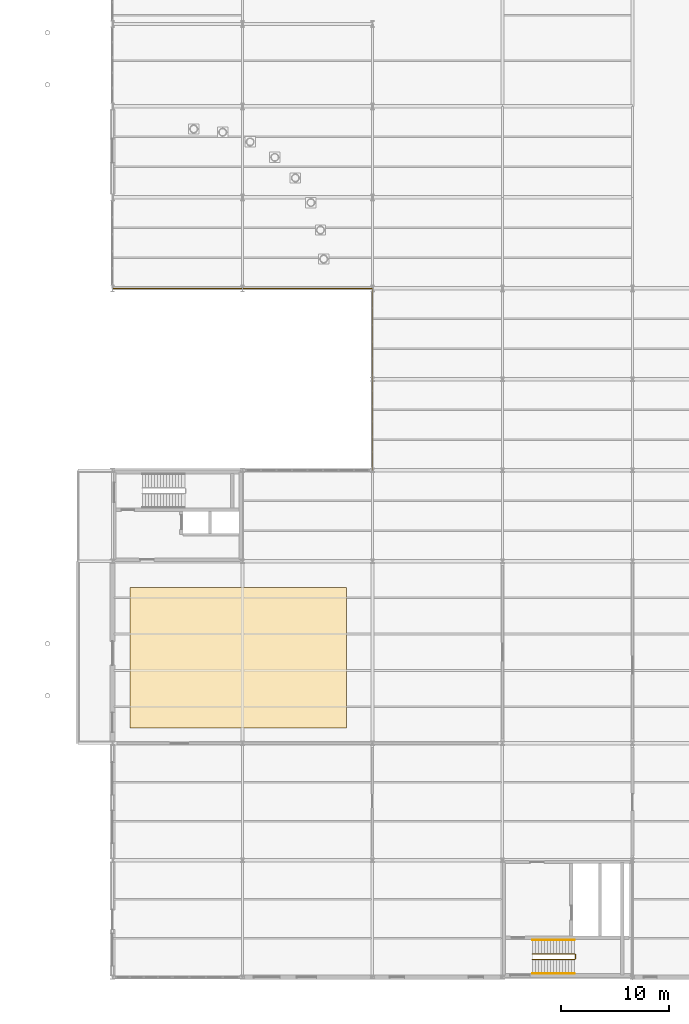
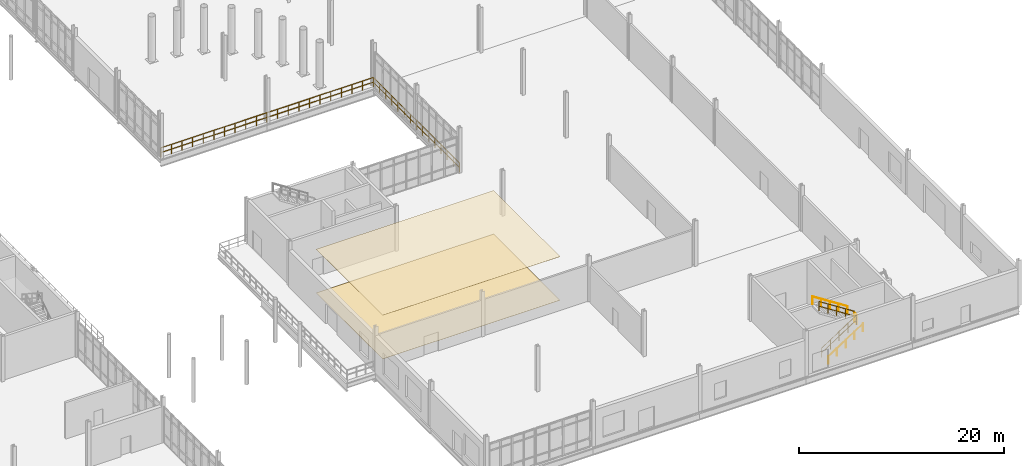
# One storey, part 111 of 111: 7 railings, 2 coverings.
"""IFC4 building model written with IfcOpenShell, lengths in metres."""

from ifc_helpers import new_model, si_unit, direction, frame, origin, origin_2d, place, context, subcontext, project, spatial, rectangle, circle, extrude, material, layer, layer_set, type_object, element, save


model = new_model("IFC4")

# Units and contexts
model_context = context("Model", 3, precision=1e-05, world=origin(), true_north=direction((0.0, 1.0)))
body_context = subcontext(model_context, "Body", "Model", "MODEL_VIEW")
ifc_project = project(units=[si_unit("LENGTHUNIT", "METRE"), si_unit("AREAUNIT", "SQUARE_METRE"), si_unit("VOLUMEUNIT", "CUBIC_METRE"), si_unit("PLANEANGLEUNIT", "RADIAN"), si_unit("MASSUNIT", "GRAM", prefix="KILO"), si_unit("THERMODYNAMICTEMPERATUREUNIT", "KELVIN"), si_unit("POWERUNIT", "WATT")], contexts=[model_context])

# Site, building, storey
site_placement = place(None, origin())
site = spatial("IfcSite", under=ifc_project, at=site_placement, CompositionType="ELEMENT")
building_placement = place(site_placement, origin())
building = spatial("IfcBuilding", under=site, at=building_placement, Name="Tembeka Court Mobility Hub", CompositionType="ELEMENT")
storey_placement = place(building_placement, origin())
storey = spatial("IfcBuildingStorey", under=building, at=storey_placement, Name="L00", CompositionType="ELEMENT", Elevation=0.0)

# Coverings
ifc_material_1 = material(Name="Perforated acoustic mineral-fibre ceiling tile", Category="masonry")
ifc_layer_1 = layer(ifc_material_1, 0.02490234375)
ifc_layer_set_1 = layer_set([ifc_layer_1], Name="Perforated acoustic mineral-fibre ceiling tile")
covering_type_1 = type_object("IfcCoveringType", Name="COV-CL01", PredefinedType="CEILING", material=ifc_layer_set_1)
covering_1_placement = place(storey_placement, frame((128.0, 29.5, 5.189453125), z_axis=(0.0, 0.0, 1.0), x_axis=(1.0, 0.0, 0.0)))
element("IfcCovering", 1, at=covering_1_placement, inside=storey, type_object=covering_type_1, Name="Acoustic ceiling panel CVC1-03", PredefinedType="CEILING", context=body_context, shape_type="SweptSolid", body=[
    extrude(rectangle(XDim=20.0, YDim=13.0, at=origin_2d()), origin(), (0.0, 0.0, 1.0), 0.02490234375),
])
ifc_material_2 = material(Name="Honed Nairobi granite concourse flooring", Category="masonry")
ifc_layer_2 = layer(ifc_material_2, 0.02001953125)
ifc_layer_set_2 = layer_set([ifc_layer_2], Name="Honed Nairobi granite concourse flooring")
covering_type_2 = type_object("IfcCoveringType", Name="COV-FL01", PredefinedType="FLOORING", material=ifc_layer_set_2)
covering_2_placement = place(storey_placement, frame((128.0, 29.5, -0.001953125), z_axis=(0.0, 0.0, 1.0), x_axis=(1.0, 0.0, 0.0)))
element("IfcCovering", 2, at=covering_2_placement, inside=storey, type_object=covering_type_2, Name="Honed granite floor finish CVF1-03", PredefinedType="FLOORING", context=body_context, shape_type="SweptSolid", body=[
    extrude(rectangle(XDim=20.0, YDim=13.0, at=origin_2d()), origin(), (0.0, 0.0, 1.0), 0.02001953125),
])

# Railings
ifc_material_3 = material(Name="Laminated glass and aluminium balustrade", Category="aluminium")
railing_type_1 = type_object("IfcRailingType", Name="RL-BL01", PredefinedType="BALUSTRADE", material=ifc_material_3)
railing_1_placement = place(storey_placement, frame((116.429931640625, 63.60009765625, 0.0)))
element("IfcRailing", 3, at=railing_1_placement, inside=storey, type_object=railing_type_1, Name="Perimeter guard BL01-0001", PredefinedType="BALUSTRADE", context=body_context, shape_type="SweptSolid", body=[
    extrude(circle(Radius=0.02392578125, at=origin_2d()), frame((0.0, 0.0, 1.09619140625), z_axis=(1.0, 0.0, 0.0), x_axis=(0.0, 1.0, 0.0)), (0.0, 0.0, 1.0), 23.940185546875),
    extrude(circle(Radius=0.02392578125, at=origin_2d()), frame((0.0, 0.0, 0.5361328125), z_axis=(1.0, 0.0, 0.0), x_axis=(0.0, 1.0, 0.0)), (0.0, 0.0, 1.0), 23.940185546875),
    extrude(circle(Radius=0.02099609375, at=origin_2d()), origin(), (0.0, 0.0, 1.0), 1.072021484375),
    extrude(circle(Radius=0.02099609375, at=origin_2d()), frame((1.197021484375, 0.0, 0.0)), (0.0, 0.0, 1.0), 1.072021484375),
    extrude(circle(Radius=0.02099609375, at=origin_2d()), frame((2.39404296875, 0.0, 0.0)), (0.0, 0.0, 1.0), 1.072021484375),
    extrude(circle(Radius=0.02099609375, at=origin_2d()), frame((3.591064453125, 0.0, 0.0)), (0.0, 0.0, 1.0), 1.072021484375),
    extrude(circle(Radius=0.02099609375, at=origin_2d()), frame((4.7880859375, 0.0, 0.0)), (0.0, 0.0, 1.0), 1.072021484375),
    extrude(circle(Radius=0.02099609375, at=origin_2d()), frame((5.985107421875, 0.0, 0.0)), (0.0, 0.0, 1.0), 1.072021484375),
    extrude(circle(Radius=0.02099609375, at=origin_2d()), frame((7.18212890625, 0.0, 0.0)), (0.0, 0.0, 1.0), 1.072021484375),
    extrude(circle(Radius=0.02099609375, at=origin_2d()), frame((8.379150390625, 0.0, 0.0)), (0.0, 0.0, 1.0), 1.072021484375),
    extrude(circle(Radius=0.02099609375, at=origin_2d()), frame((9.576171875, 0.0, 0.0)), (0.0, 0.0, 1.0), 1.072021484375),
    extrude(circle(Radius=0.02099609375, at=origin_2d()), frame((10.773193359375, 0.0, 0.0)), (0.0, 0.0, 1.0), 1.072021484375),
    extrude(circle(Radius=0.02099609375, at=origin_2d()), frame((11.97021484375, 0.0, 0.0)), (0.0, 0.0, 1.0), 1.072021484375),
    extrude(circle(Radius=0.02099609375, at=origin_2d()), frame((13.1669921875, 0.0, 0.0)), (0.0, 0.0, 1.0), 1.072021484375),
    extrude(circle(Radius=0.02099609375, at=origin_2d()), frame((14.364013671875, 0.0, 0.0)), (0.0, 0.0, 1.0), 1.072021484375),
    extrude(circle(Radius=0.02099609375, at=origin_2d()), frame((15.56103515625, 0.0, 0.0)), (0.0, 0.0, 1.0), 1.072021484375),
    extrude(circle(Radius=0.02099609375, at=origin_2d()), frame((16.758056640625, 0.0, 0.0)), (0.0, 0.0, 1.0), 1.072021484375),
    extrude(circle(Radius=0.02099609375, at=origin_2d()), frame((17.955078125, 0.0, 0.0)), (0.0, 0.0, 1.0), 1.072021484375),
    extrude(circle(Radius=0.02099609375, at=origin_2d()), frame((19.152099609375, 0.0, 0.0)), (0.0, 0.0, 1.0), 1.072021484375),
    extrude(circle(Radius=0.02099609375, at=origin_2d()), frame((20.34912109375, 0.0, 0.0)), (0.0, 0.0, 1.0), 1.072021484375),
    extrude(circle(Radius=0.02099609375, at=origin_2d()), frame((21.546142578125, 0.0, 0.0)), (0.0, 0.0, 1.0), 1.072021484375),
    extrude(circle(Radius=0.02099609375, at=origin_2d()), frame((22.7431640625, 0.0, 0.0)), (0.0, 0.0, 1.0), 1.072021484375),
    extrude(circle(Radius=0.02099609375, at=origin_2d()), frame((23.940185546875, 0.0, 0.0)), (0.0, 0.0, 1.0), 1.072021484375),
])
railing_2_placement = place(storey_placement, frame((140.39990234375, 63.570068359375, 0.0)))
element("IfcRailing", 4, at=railing_2_placement, inside=storey, type_object=railing_type_1, Name="Perimeter guard BL01-0002", PredefinedType="BALUSTRADE", context=body_context, shape_type="SweptSolid", body=[
    extrude(circle(Radius=0.02392578125, at=origin_2d()), frame((0.0, 0.0, 1.09619140625), z_axis=(0.0, -1.0, 0.0), x_axis=(1.0, 0.0, 0.0)), (0.0, 0.0, 1.0), 16.739990234375),
    extrude(circle(Radius=0.02392578125, at=origin_2d()), frame((0.0, 0.0, 0.5361328125), z_axis=(0.0, -1.0, 0.0), x_axis=(1.0, 0.0, 0.0)), (0.0, 0.0, 1.0), 16.739990234375),
    extrude(circle(Radius=0.02099609375, at=origin_2d()), origin(), (0.0, 0.0, 1.0), 1.072021484375),
    extrude(circle(Radius=0.02099609375, at=origin_2d()), frame((0.0, -1.19580078125, 0.0)), (0.0, 0.0, 1.0), 1.072021484375),
    extrude(circle(Radius=0.02099609375, at=origin_2d()), frame((0.0, -2.391357421875, 0.0)), (0.0, 0.0, 1.0), 1.072021484375),
    extrude(circle(Radius=0.02099609375, at=origin_2d()), frame((0.0, -3.587158203125, 0.0)), (0.0, 0.0, 1.0), 1.072021484375),
    extrude(circle(Radius=0.02099609375, at=origin_2d()), frame((0.0, -4.782958984375, 0.0)), (0.0, 0.0, 1.0), 1.072021484375),
    extrude(circle(Radius=0.02099609375, at=origin_2d()), frame((0.0, -5.978515625, 0.0)), (0.0, 0.0, 1.0), 1.072021484375),
    extrude(circle(Radius=0.02099609375, at=origin_2d()), frame((0.0, -7.17431640625, 0.0)), (0.0, 0.0, 1.0), 1.072021484375),
    extrude(circle(Radius=0.02099609375, at=origin_2d()), frame((0.0, -8.3701171875, 0.0)), (0.0, 0.0, 1.0), 1.072021484375),
    extrude(circle(Radius=0.02099609375, at=origin_2d()), frame((0.0, -9.565673828125, 0.0)), (0.0, 0.0, 1.0), 1.072021484375),
    extrude(circle(Radius=0.02099609375, at=origin_2d()), frame((0.0, -10.761474609375, 0.0)), (0.0, 0.0, 1.0), 1.072021484375),
    extrude(circle(Radius=0.02099609375, at=origin_2d()), frame((0.0, -11.95703125, 0.0)), (0.0, 0.0, 1.0), 1.072021484375),
    extrude(circle(Radius=0.02099609375, at=origin_2d()), frame((0.0, -13.15283203125, 0.0)), (0.0, 0.0, 1.0), 1.072021484375),
    extrude(circle(Radius=0.02099609375, at=origin_2d()), frame((0.0, -14.3486328125, 0.0)), (0.0, 0.0, 1.0), 1.072021484375),
    extrude(circle(Radius=0.02099609375, at=origin_2d()), frame((0.0, -15.544189453125, 0.0)), (0.0, 0.0, 1.0), 1.072021484375),
    extrude(circle(Radius=0.02099609375, at=origin_2d()), frame((0.0, -16.739990234375, 0.0)), (0.0, 0.0, 1.0), 1.072021484375),
])
ifc_material_4 = material(Name="Painted galvanised steel balustrade", Category="steel")
railing_type_2 = type_object("IfcRailingType", Name="RL-GR01", PredefinedType="GUARDRAIL", material=ifc_material_4)
railing_3_placement = place(storey_placement, frame((155.14990234375, 1.64990234375, 0.179931640625)))
element("IfcRailing", 5, at=railing_3_placement, inside=storey, type_object=railing_type_2, Name="L00 ST06 stair guard 1-1", PredefinedType="GUARDRAIL", context=body_context, shape_type="SweptSolid", body=[
    extrude(circle(Radius=0.02392578125, at=origin_2d()), frame((0.0, 0.0, 1.09619140625), z_axis=(0.841186985886, 0.0, 0.540744352514), x_axis=(0.0, 1.0, 0.0)), (0.0, 0.0, 1.0), 4.660400390625),
    extrude(circle(Radius=0.02392578125, at=origin_2d()), frame((0.0, 0.0, 0.5361328125), z_axis=(0.841186985886, 0.0, 0.540744352514), x_axis=(0.0, 1.0, 0.0)), (0.0, 0.0, 1.0), 4.660400390625),
    extrude(circle(Radius=0.02099609375, at=origin_2d()), origin(), (0.0, 0.0, 1.0), 1.072021484375),
    extrude(circle(Radius=0.02099609375, at=origin_2d()), frame((0.97998046875, 0.0, 0.6298828125)), (0.0, 0.0, 1.0), 1.072021484375),
    extrude(circle(Radius=0.02099609375, at=origin_2d()), frame((1.9599609375, 0.0, 1.260009765625)), (0.0, 0.0, 1.0), 1.072021484375),
    extrude(circle(Radius=0.02099609375, at=origin_2d()), frame((2.940185546875, 0.0, 1.89013671875)), (0.0, 0.0, 1.0), 1.072021484375),
    extrude(circle(Radius=0.02099609375, at=origin_2d()), frame((3.920166015625, 0.0, 2.52001953125)), (0.0, 0.0, 1.0), 1.072021484375),
])
railing_4_placement = place(storey_placement, frame((159.1201171875, 1.699951171875, 2.699951171875)))
element("IfcRailing", 6, at=railing_4_placement, inside=storey, type_object=railing_type_2, Name="L00 ST06 stair guard 2-1", PredefinedType="GUARDRAIL", context=body_context, shape_type="SweptSolid", body=[
    extrude(circle(Radius=0.02392578125, at=origin_2d()), frame((0.0, 0.0, 1.09619140625), z_axis=(0.0, 1.0, 0.0), x_axis=(-1.0, 0.0, 0.0)), (0.0, 0.0, 1.0), 0.400146484375),
    extrude(circle(Radius=0.02392578125, at=origin_2d()), frame((0.0, 0.0, 0.5361328125), z_axis=(0.0, 1.0, 0.0), x_axis=(-1.0, 0.0, 0.0)), (0.0, 0.0, 1.0), 0.400146484375),
    extrude(circle(Radius=0.02099609375, at=origin_2d()), origin(), (0.0, 0.0, 1.0), 1.072021484375),
    extrude(circle(Radius=0.02099609375, at=origin_2d()), frame((0.0, 0.400146484375, 0.0)), (0.0, 0.0, 1.0), 1.072021484375),
])
railing_5_placement = place(storey_placement, frame((159.070068359375, 2.14990234375, 2.8798828125)))
element("IfcRailing", 7, at=railing_5_placement, inside=storey, type_object=railing_type_2, Name="L00 ST06 stair guard 3-1", PredefinedType="GUARDRAIL", context=body_context, shape_type="SweptSolid", body=[
    extrude(circle(Radius=0.02392578125, at=origin_2d()), frame((0.0, 0.0, 1.09619140625), z_axis=(-0.841186985886, 0.0, 0.540744352514), x_axis=(0.0, -1.0, 0.0)), (0.0, 0.0, 1.0), 4.660400390625),
    extrude(circle(Radius=0.02392578125, at=origin_2d()), frame((0.0, 0.0, 0.5361328125), z_axis=(-0.841186985886, 0.0, 0.540744352514), x_axis=(0.0, -1.0, 0.0)), (0.0, 0.0, 1.0), 4.660400390625),
    extrude(circle(Radius=0.02099609375, at=origin_2d()), origin(), (0.0, 0.0, 1.0), 1.072021484375),
    extrude(circle(Radius=0.02099609375, at=origin_2d()), frame((-0.97998046875, 0.0, 0.6298828125)), (0.0, 0.0, 1.0), 1.072021484375),
    extrude(circle(Radius=0.02099609375, at=origin_2d()), frame((-1.9599609375, 0.0, 1.260009765625)), (0.0, 0.0, 1.0), 1.072021484375),
    extrude(circle(Radius=0.02099609375, at=origin_2d()), frame((-2.940185546875, 0.0, 1.89013671875)), (0.0, 0.0, 1.0), 1.072021484375),
    extrude(circle(Radius=0.02099609375, at=origin_2d()), frame((-3.920166015625, 0.0, 2.52001953125)), (0.0, 0.0, 1.0), 1.072021484375),
])
ifc_material_5 = material(Name="Brushed stainless steel handrail", Category="steel")
railing_type_3 = type_object("IfcRailingType", Name="RL-HR01", PredefinedType="HANDRAIL", material=ifc_material_5)
railing_6_placement = place(storey_placement, frame((155.14990234375, 0.35009765625, 0.179931640625)))
element("IfcRailing", 8, at=railing_6_placement, inside=storey, type_object=railing_type_3, Name="L00 ST06 handrail 1-1", PredefinedType="HANDRAIL", context=body_context, shape_type="SweptSolid", body=[
    extrude(circle(Radius=0.02392578125, at=origin_2d()), frame((0.0, 0.0, 0.89599609375), z_axis=(0.841186985886, 0.0, 0.540744352514), x_axis=(0.0, 1.0, 0.0)), (0.0, 0.0, 1.0), 4.660400390625),
    extrude(circle(Radius=0.02099609375, at=origin_2d()), origin(), (0.0, 0.0, 1.0), 0.871826171875),
    extrude(circle(Radius=0.02099609375, at=origin_2d()), frame((0.97998046875, 0.0, 0.6298828125)), (0.0, 0.0, 1.0), 0.871826171875),
    extrude(circle(Radius=0.02099609375, at=origin_2d()), frame((1.9599609375, 0.0, 1.260009765625)), (0.0, 0.0, 1.0), 0.871826171875),
    extrude(circle(Radius=0.02099609375, at=origin_2d()), frame((2.940185546875, 0.0, 1.89013671875)), (0.0, 0.0, 1.0), 0.871826171875),
    extrude(circle(Radius=0.02099609375, at=origin_2d()), frame((3.920166015625, 0.0, 2.52001953125)), (0.0, 0.0, 1.0), 0.871826171875),
])
railing_7_placement = place(storey_placement, frame((159.070068359375, 3.449951171875, 2.8798828125)))
element("IfcRailing", 9, at=railing_7_placement, inside=storey, type_object=railing_type_3, Name="L00 ST06 handrail 2-1", PredefinedType="HANDRAIL", context=body_context, shape_type="SweptSolid", body=[
    extrude(circle(Radius=0.02392578125, at=origin_2d()), frame((0.0, 0.0, 0.89599609375), z_axis=(-0.841186985886, 0.0, 0.540744352514), x_axis=(0.0, -1.0, 0.0)), (0.0, 0.0, 1.0), 4.660400390625),
    extrude(circle(Radius=0.02099609375, at=origin_2d()), origin(), (0.0, 0.0, 1.0), 0.871826171875),
    extrude(circle(Radius=0.02099609375, at=origin_2d()), frame((-0.97998046875, 0.0, 0.6298828125)), (0.0, 0.0, 1.0), 0.871826171875),
    extrude(circle(Radius=0.02099609375, at=origin_2d()), frame((-1.9599609375, 0.0, 1.260009765625)), (0.0, 0.0, 1.0), 0.871826171875),
    extrude(circle(Radius=0.02099609375, at=origin_2d()), frame((-2.940185546875, 0.0, 1.89013671875)), (0.0, 0.0, 1.0), 0.871826171875),
    extrude(circle(Radius=0.02099609375, at=origin_2d()), frame((-3.920166015625, 0.0, 2.52001953125)), (0.0, 0.0, 1.0), 0.871826171875),
])

save(model, "model.ifc")
